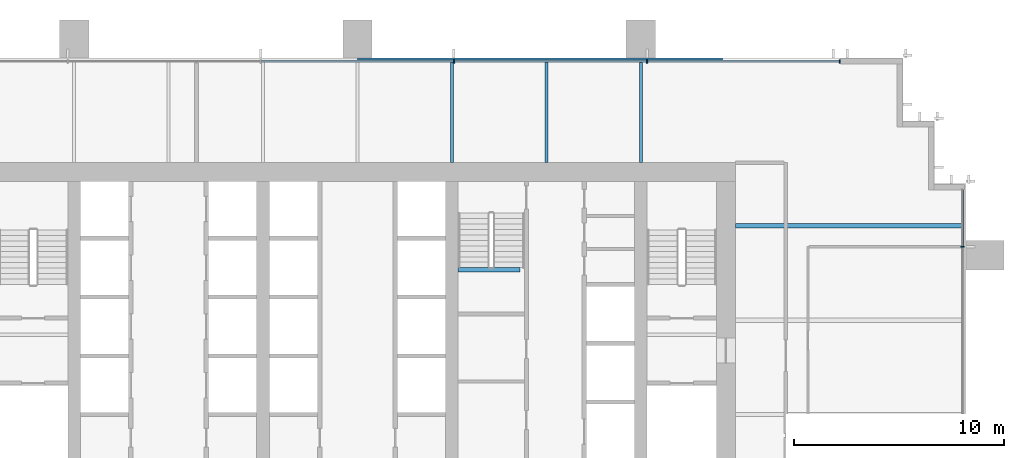
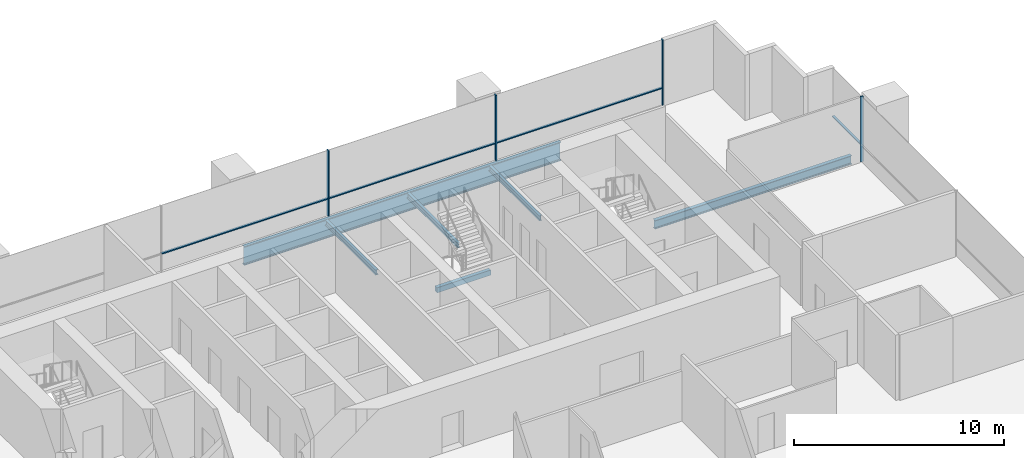
# One storey, part 8 of 14: 8 members, 6 beams, 2 elements without a shape of their own.
"""IFC4 building model written with IfcOpenShell, lengths in metres."""

from ifc_helpers import new_model, si_unit, direction, frame, origin, origin_2d, place, context, subcontext, project, spatial, rectangle, i_section, extrude, material, material_profile, profile_set, type_object, element, aggregate, save


model = new_model("IFC4")

# Units and contexts
model_context = context("Model", 3, precision=1e-05, world=origin(), true_north=direction((0.0, 1.0)))
body_context = subcontext(model_context, "Body", "Model", "MODEL_VIEW")
ifc_project = project(units=[si_unit("LENGTHUNIT", "METRE"), si_unit("AREAUNIT", "SQUARE_METRE"), si_unit("VOLUMEUNIT", "CUBIC_METRE"), si_unit("PLANEANGLEUNIT", "RADIAN"), si_unit("MASSUNIT", "GRAM", prefix="KILO")], contexts=[model_context])

# Site, building, storey
site_placement = place(None, origin())
site = spatial("IfcSite", under=ifc_project, at=site_placement, CompositionType="ELEMENT")
building_placement = place(site_placement, origin())
building = spatial("IfcBuilding", under=site, at=building_placement, Name="Rattan Terrace Tower", CompositionType="ELEMENT")
storey_placement = place(building_placement, frame((0.0, 0.0, 154.10009765625)))
storey = spatial("IfcBuildingStorey", under=building, at=storey_placement, Name="L35", CompositionType="ELEMENT", Elevation=154.10009765625)

# Beam
ifc_material_1 = material(Name="Concrete C40/50", Category="concrete")
ifc_material_profile_1 = material_profile(ifc_material_1, rectangle(XDim=0.199951171875, YDim=0.300048828125, at=origin_2d()), Name="RC 200x300")
ifc_profile_set_1 = profile_set([ifc_material_profile_1], Name="Concrete C40/50")
beam_type_1 = type_object("IfcBeamType", Name="Core landing beam RC 200x300", PredefinedType="BEAM", material=ifc_profile_set_1)
beam_1_placement = place(storey_placement, frame((4.800048828125, 2.39990234375, 1.64990234375), z_axis=(1.0, 0.0, 0.0), x_axis=(0.0, 1.0, 0.0)))
element("IfcBeam", 1, at=beam_1_placement, inside=storey, type_object=beam_type_1, Name="st-S3-L35 landing 1 edge beam", PredefinedType="BEAM", context=body_context, shape_type="SweptSolid", body=[
    extrude(rectangle(XDim=0.199951171875, YDim=0.300048828125, at=origin_2d()), origin(), (0.0, 0.0, 1.0), 2.949951171875),
])

# Curtain wall, member
ifc_material_2 = material(Name="Aluminium and glass", Category="aluminium")
curtain_wall_type = type_object("IfcCurtainWallType", Name="Facade Unitised Curtain Wall", PredefinedType="NOTDEFINED", material=ifc_material_2)
curtain_wall_1_placement = place(storey_placement, origin())
curtain_wall_1 = element("IfcCurtainWall", 2, at=curtain_wall_1_placement, inside=storey, type_object=curtain_wall_type, Name="Curtain wall L35-1", PredefinedType="NOTDEFINED")
ifc_material_3 = material(Name="Aluminium", Category="aluminium")
ifc_material_profile_2 = material_profile(ifc_material_3, rectangle(XDim=0.06005859375, YDim=0.159912109375, at=origin_2d()), Name="Aluminium 60x160")
ifc_profile_set_2 = profile_set([ifc_material_profile_2], Name="Aluminium")
member_type_1 = type_object("IfcMemberType", Name="Facade CW Mullion 60x160", PredefinedType="MULLION", material=ifc_profile_set_2)
member_1_placement = place(storey_placement, frame((28.830078125, 3.5, 0.0), z_axis=(0.0, 0.0, 1.0), x_axis=(0.0, 1.0, 0.0)))
member_1 = element("IfcMember", 3, at=member_1_placement, type_object=member_type_1, Name="Mullion cwl-L35-001.4", PredefinedType="MULLION", context=body_context, shape_type="SweptSolid", body=[
    extrude(rectangle(XDim=0.06005859375, YDim=0.159912109375, at=origin_2d()), origin(), (0.0, 0.0, 1.0), 3.7998046875),
])

# Curtain wall, members
curtain_wall_2_placement = place(storey_placement, origin())
curtain_wall_2 = element("IfcCurtainWall", 4, at=curtain_wall_2_placement, inside=storey, type_object=curtain_wall_type, Name="Curtain wall L35-2", PredefinedType="NOTDEFINED")
member_2_placement = place(storey_placement, frame((22.969970703125, 12.330078125, 0.0), z_axis=(0.0, 0.0, 1.0), x_axis=(-1.0, 0.0, 0.0)))
member_2 = element("IfcMember", 5, at=member_2_placement, type_object=member_type_1, Name="Mullion cwl-L35-002.1", PredefinedType="MULLION", context=body_context, shape_type="SweptSolid", body=[
    extrude(rectangle(XDim=0.06005859375, YDim=0.159912109375, at=origin_2d()), origin(), (0.0, 0.0, 1.0), 3.7998046875),
])
member_3_placement = place(storey_placement, frame((13.799072265625, 12.330078125, 0.0), z_axis=(0.0, 0.0, 1.0), x_axis=(-1.0, 0.0, 0.0)))
member_3 = element("IfcMember", 6, at=member_3_placement, type_object=member_type_1, Name="Mullion cwl-L35-002.2", PredefinedType="MULLION", context=body_context, shape_type="SweptSolid", body=[
    extrude(rectangle(XDim=0.06005859375, YDim=0.159912109375, at=origin_2d()), origin(), (0.0, 0.0, 1.0), 3.7998046875),
])
member_4_placement = place(storey_placement, frame((4.597900390625, 12.330078125, 0.0), z_axis=(0.0, 0.0, 1.0), x_axis=(-1.0, 0.0, 0.0)))
member_4 = element("IfcMember", 7, at=member_4_placement, type_object=member_type_1, Name="Mullion cwl-L35-002.3", PredefinedType="MULLION", context=body_context, shape_type="SweptSolid", body=[
    extrude(rectangle(XDim=0.06005859375, YDim=0.159912109375, at=origin_2d()), origin(), (0.0, 0.0, 1.0), 3.7998046875),
])

# Member
ifc_material_4 = material(Name="Aluminium", Category="aluminium")
ifc_material_profile_3 = material_profile(ifc_material_4, rectangle(XDim=0.1201171875, YDim=0.06005859375, at=origin_2d()), Name="Aluminium 120x60")
ifc_profile_set_3 = profile_set([ifc_material_profile_3], Name="Aluminium")
member_type_2 = type_object("IfcMemberType", Name="Facade CW Transom 120x60", PredefinedType="USERDEFINED", material=ifc_profile_set_3)
member_5_placement = place(storey_placement, frame((28.830078125, 3.530029296875, 1.0), z_axis=(0.0, 1.0, 0.0), x_axis=(-1.0, 0.0, 0.0)))
member_5 = element("IfcMember", 8, at=member_5_placement, type_object=member_type_2, Name="Transom cwl-L35-001.4", ObjectType="TRANSOM", PredefinedType="USERDEFINED", context=body_context, shape_type="SweptSolid", body=[
    extrude(rectangle(XDim=0.1201171875, YDim=0.06005859375, at=origin_2d()), origin(), (0.0, 0.0, 1.0), 2.675048828125),
])

aggregate(curtain_wall_1, [member_1, member_5])

member_6_placement = place(storey_placement, frame((22.93994140625, 12.330078125, 1.0), z_axis=(-1.0, 0.0, 0.0), x_axis=(0.0, -1.0, 0.0)))
member_6 = element("IfcMember", 9, at=member_6_placement, type_object=member_type_2, Name="Transom cwl-L35-002.1", ObjectType="TRANSOM", PredefinedType="USERDEFINED", context=body_context, shape_type="SweptSolid", body=[
    extrude(rectangle(XDim=0.1201171875, YDim=0.06005859375, at=origin_2d()), origin(), (0.0, 0.0, 1.0), 9.11083984375),
])

member_7_placement = place(storey_placement, frame((13.76904296875, 12.330078125, 1.0), z_axis=(-1.0, 0.0, 0.0), x_axis=(0.0, -1.0, 0.0)))
member_7 = element("IfcMember", 10, at=member_7_placement, type_object=member_type_2, Name="Transom cwl-L35-002.2", ObjectType="TRANSOM", PredefinedType="USERDEFINED", context=body_context, shape_type="SweptSolid", body=[
    extrude(rectangle(XDim=0.1201171875, YDim=0.06005859375, at=origin_2d()), origin(), (0.0, 0.0, 1.0), 9.14111328125),
])

member_8_placement = place(storey_placement, frame((4.568115234375, 12.330078125, 1.0), z_axis=(-1.0, 0.0, 0.0), x_axis=(0.0, -1.0, 0.0)))
member_8 = element("IfcMember", 11, at=member_8_placement, type_object=member_type_2, Name="Transom cwl-L35-002.3", ObjectType="TRANSOM", PredefinedType="USERDEFINED", context=body_context, shape_type="SweptSolid", body=[
    extrude(rectangle(XDim=0.1201171875, YDim=0.06005859375, at=origin_2d()), origin(), (0.0, 0.0, 1.0), 9.14111328125),
])

aggregate(curtain_wall_2, [member_2, member_3, member_4, member_6, member_7, member_8])

# Beams
ifc_material_5 = material(Name="Steel S460", Category="steel")
ifc_material_profile_4 = material_profile(ifc_material_5, i_section(OverallWidth=0.179931640625, OverallDepth=1.10009765625, WebThickness=0.01611328125, FlangeThickness=0.050048828125, at=origin_2d()), Name="PG 1100x180-16-50")
ifc_profile_set_4 = profile_set([ifc_material_profile_4], Name="Steel S460")
beam_type_2 = type_object("IfcBeamType", Name="Frame edge girder PG 1100x180-16-50", PredefinedType="SPANDREL", material=ifc_profile_set_4)
beam_2_placement = place(storey_placement, frame((17.39990234375, 12.409912109375, -0.75), z_axis=(-1.0, 0.0, 0.0), x_axis=(0.0, -1.0, 0.0)))
element("IfcBeam", 12, at=beam_2_placement, inside=storey, type_object=beam_type_2, Name="gdr-L35-006", PredefinedType="SPANDREL", context=body_context, shape_type="SweptSolid", body=[
    extrude(i_section(OverallWidth=0.179931640625, OverallDepth=1.10009765625, WebThickness=0.01611328125, FlangeThickness=0.050048828125, at=origin_2d()), origin(), (0.0, 0.0, 1.0), 17.39990234375),
])
ifc_material_6 = material(Name="Steel S355", Category="steel")
ifc_material_profile_5 = material_profile(ifc_material_6, i_section(OverallWidth=0.14990234375, OverallDepth=0.300048828125, WebThickness=0.007080078125, FlangeThickness=0.0107421875, FilletRadius=0.014892578125, at=origin_2d()), Name="IPE 300")
ifc_profile_set_5 = profile_set([ifc_material_profile_5], Name="Steel S355")
beam_type_3 = type_object("IfcBeamType", Name="Frame floor beam IPE 300", PredefinedType="JOIST", material=ifc_profile_set_5)
for number, where, z_axis, x_axis, name in (
    (13, (4.5, 7.5, -0.35009765625), (0.0, 1.0, 0.0), (-1.0, 0.0, 0.0), "bm-L35-020"),
    (14, (9.0, 7.5, -0.35009765625), (0.0, 1.0, 0.0), (-1.0, 0.0, 0.0), "bm-L35-021"),
    (15, (13.5, 7.5, -0.35009765625), (0.0, 1.0, 0.0), (-1.0, 0.0, 0.0), "bm-L35-022"),
):
    element("IfcBeam", number, at=place(storey_placement, frame(where, z_axis=z_axis, x_axis=x_axis)), inside=storey, type_object=beam_type_3, Name=name, PredefinedType="JOIST", context=body_context, shape_type="SweptSolid", body=[
        extrude(i_section(OverallWidth=0.14990234375, OverallDepth=0.300048828125, WebThickness=0.007080078125, FlangeThickness=0.0107421875, FilletRadius=0.014892578125, at=origin_2d()), origin(), (0.0, 0.0, 1.0), 4.820068359375),
    ])
ifc_material_7 = material(Name="Steel S355", Category="steel")
ifc_material_profile_6 = material_profile(ifc_material_7, i_section(OverallWidth=0.199951171875, OverallDepth=0.5, WebThickness=0.01025390625, FlangeThickness=0.01611328125, FilletRadius=0.02099609375, at=origin_2d()), Name="IPE 500")
ifc_profile_set_6 = profile_set([ifc_material_profile_6], Name="Steel S355")
beam_type_4 = type_object("IfcBeamType", Name="Frame floor beam IPE 500", PredefinedType="JOIST", material=ifc_profile_set_6)
beam_3_placement = place(storey_placement, frame((18.0, 4.5, -0.4501953125), z_axis=(1.0, 0.0, 0.0), x_axis=(0.0, 1.0, 0.0)))
element("IfcBeam", 16, at=beam_3_placement, inside=storey, type_object=beam_type_4, Name="bm-L35-015", PredefinedType="JOIST", context=body_context, shape_type="SweptSolid", body=[
    extrude(i_section(OverallWidth=0.199951171875, OverallDepth=0.5, WebThickness=0.01025390625, FlangeThickness=0.01611328125, FilletRadius=0.02099609375, at=origin_2d()), origin(), (0.0, 0.0, 1.0), 10.820068359375),
])

save(model, "model.ifc")
